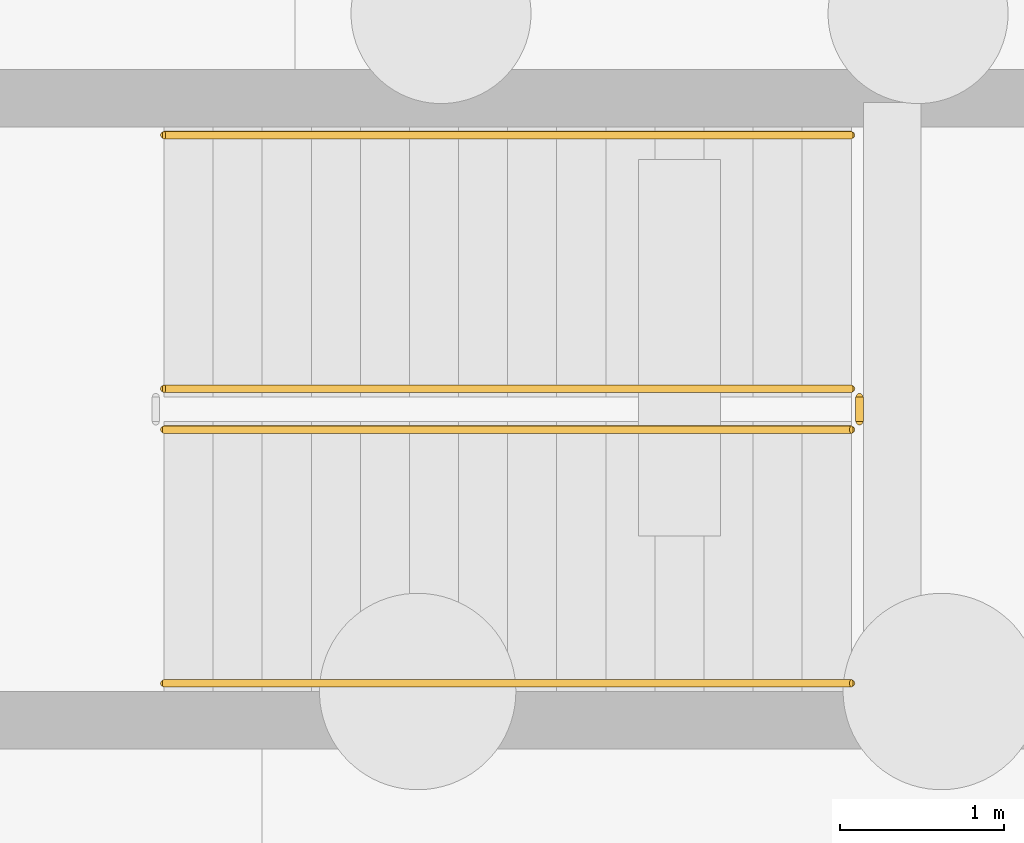
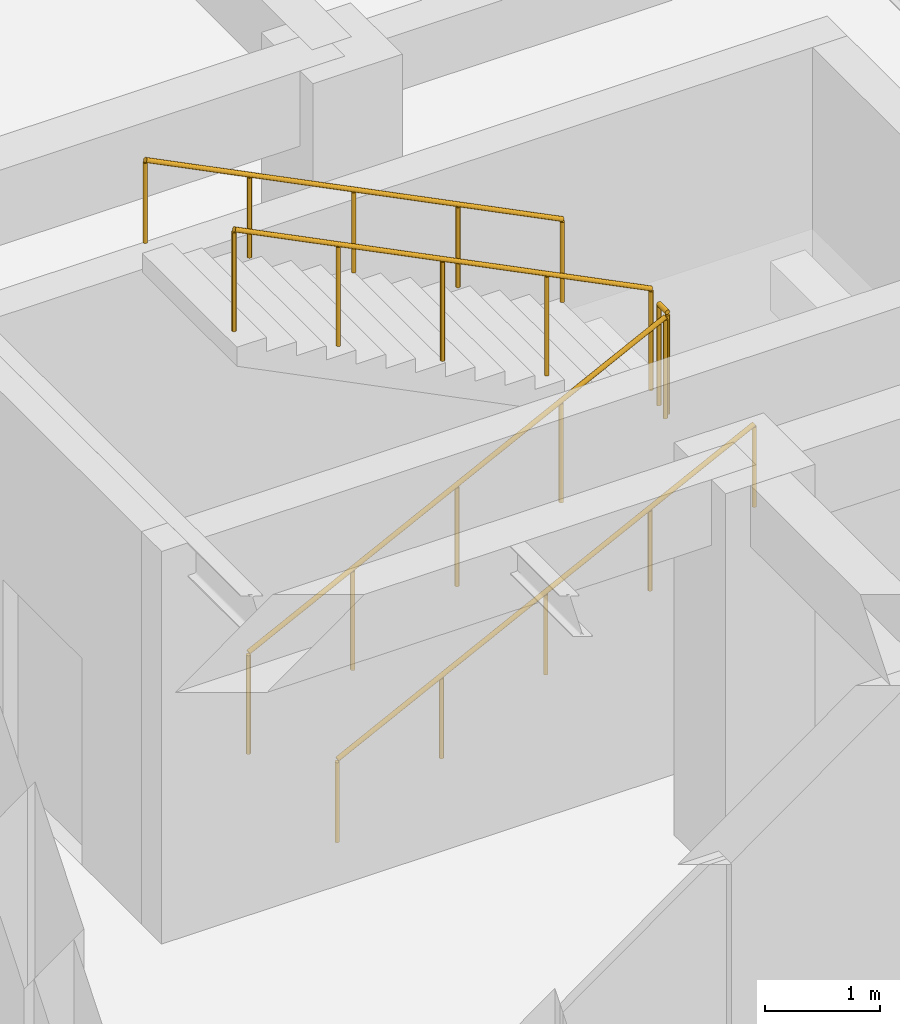
# One storey, part 60 of 63: 5 railings.
"""IFC4 building model written with IfcOpenShell, lengths in metres."""

from ifc_helpers import new_model, si_unit, direction, frame, origin, origin_2d, place, context, subcontext, project, spatial, circle, extrude, material, type_object, element, save


model = new_model("IFC4")

# Units and contexts
model_context = context("Model", 3, precision=1e-05, world=origin(), true_north=direction((0.0, 1.0)))
body_context = subcontext(model_context, "Body", "Model", "MODEL_VIEW")
ifc_project = project(units=[si_unit("LENGTHUNIT", "METRE"), si_unit("AREAUNIT", "SQUARE_METRE"), si_unit("VOLUMEUNIT", "CUBIC_METRE"), si_unit("PLANEANGLEUNIT", "RADIAN"), si_unit("MASSUNIT", "GRAM", prefix="KILO")], contexts=[model_context])

# Site, building, storey
site_placement = place(None, origin())
site = spatial("IfcSite", under=ifc_project, at=site_placement, CompositionType="ELEMENT")
building_placement = place(site_placement, origin())
building = spatial("IfcBuilding", under=site, at=building_placement, Name="Mazaris Harbour Polytechnic", CompositionType="ELEMENT")
storey_placement = place(building_placement, frame((0.0, 0.0, -4.5)))
storey = spatial("IfcBuildingStorey", under=building, at=storey_placement, Name="B1", CompositionType="ELEMENT", Elevation=-4.5)

# Railings
ifc_material_1 = material(Name="Stainless Steel S355", Category="steel")
railing_type_1 = type_object("IfcRailingType", Name="Stair Wall Handrail 900", PredefinedType="HANDRAIL", material=ifc_material_1)
railing_1_placement = place(storey_placement, frame((126.449951171875, 16.050048828125, 0.14990234375)))
element("IfcRailing", 1, at=railing_1_placement, inside=storey, type_object=railing_type_1, Name="B1 ST03 stair handrail 1", PredefinedType="HANDRAIL", context=body_context, shape_type="SweptSolid", body=[
    extrude(circle(Radius=0.02392578125, at=origin_2d()), frame((0.0, 0.0, 0.8759765625), z_axis=(0.894416792377, 0.0, 0.447234392142), x_axis=(0.0, 1.0, 0.0)), (0.0, 0.0, 1.0), 4.69580078125),
    extrude(circle(Radius=0.02099609375, at=origin_2d()), origin(), (0.0, 0.0, 1.0), 0.851806640625),
    extrude(circle(Radius=0.02099609375, at=origin_2d()), frame((1.050048828125, 0.0, 0.52490234375)), (0.0, 0.0, 1.0), 0.851806640625),
    extrude(circle(Radius=0.02099609375, at=origin_2d()), frame((2.10009765625, 0.0, 1.050048828125)), (0.0, 0.0, 1.0), 0.851806640625),
    extrude(circle(Radius=0.02099609375, at=origin_2d()), frame((3.14990234375, 0.0, 1.5751953125)), (0.0, 0.0, 1.0), 0.851806640625),
    extrude(circle(Radius=0.02099609375, at=origin_2d()), frame((4.199951171875, 0.0, 2.10009765625)), (0.0, 0.0, 1.0), 0.851806640625),
])
railing_2_placement = place(storey_placement, frame((130.64990234375, 19.39990234375, 2.39990234375)))
element("IfcRailing", 2, at=railing_2_placement, inside=storey, type_object=railing_type_1, Name="B1 ST03 stair handrail 2", PredefinedType="HANDRAIL", context=body_context, shape_type="SweptSolid", body=[
    extrude(circle(Radius=0.02392578125, at=origin_2d()), frame((0.0, 0.0, 0.8759765625), z_axis=(-0.894416792377, 0.0, 0.447234392142), x_axis=(0.0, -1.0, 0.0)), (0.0, 0.0, 1.0), 4.69580078125),
    extrude(circle(Radius=0.02099609375, at=origin_2d()), origin(), (0.0, 0.0, 1.0), 0.851806640625),
    extrude(circle(Radius=0.02099609375, at=origin_2d()), frame((-1.050048828125, 0.0, 0.52490234375)), (0.0, 0.0, 1.0), 0.851806640625),
    extrude(circle(Radius=0.02099609375, at=origin_2d()), frame((-2.10009765625, 0.0, 1.050048828125)), (0.0, 0.0, 1.0), 0.851806640625),
    extrude(circle(Radius=0.02099609375, at=origin_2d()), frame((-3.14990234375, 0.0, 1.5751953125)), (0.0, 0.0, 1.0), 0.851806640625),
    extrude(circle(Radius=0.02099609375, at=origin_2d()), frame((-4.199951171875, 0.0, 2.10009765625)), (0.0, 0.0, 1.0), 0.851806640625),
])
ifc_material_2 = material(Name="Steel S355", Category="steel")
railing_type_2 = type_object("IfcRailingType", Name="Stair Well Guardrail 1100", PredefinedType="GUARDRAIL", material=ifc_material_2)
railing_3_placement = place(storey_placement, frame((126.449951171875, 17.60009765625, 0.14990234375)))
element("IfcRailing", 3, at=railing_3_placement, inside=storey, type_object=railing_type_2, Name="B1 ST03 stair guard 1", PredefinedType="GUARDRAIL", context=body_context, shape_type="SweptSolid", body=[
    extrude(circle(Radius=0.02392578125, at=origin_2d()), frame((0.0, 0.0, 1.076171875), z_axis=(0.894416792377, 0.0, 0.447234392142), x_axis=(0.0, 1.0, 0.0)), (0.0, 0.0, 1.0), 4.69580078125),
    extrude(circle(Radius=0.02099609375, at=origin_2d()), origin(), (0.0, 0.0, 1.0), 1.052001953125),
    extrude(circle(Radius=0.02099609375, at=origin_2d()), frame((1.050048828125, 0.0, 0.52490234375)), (0.0, 0.0, 1.0), 1.052001953125),
    extrude(circle(Radius=0.02099609375, at=origin_2d()), frame((2.10009765625, 0.0, 1.050048828125)), (0.0, 0.0, 1.0), 1.052001953125),
    extrude(circle(Radius=0.02099609375, at=origin_2d()), frame((3.14990234375, 0.0, 1.5751953125)), (0.0, 0.0, 1.0), 1.052001953125),
    extrude(circle(Radius=0.02099609375, at=origin_2d()), frame((4.199951171875, 0.0, 2.10009765625)), (0.0, 0.0, 1.0), 1.052001953125),
])
railing_4_placement = place(storey_placement, frame((130.699951171875, 17.64990234375, 2.25)))
element("IfcRailing", 4, at=railing_4_placement, inside=storey, type_object=railing_type_2, Name="B1 ST03 stair guard 2", PredefinedType="GUARDRAIL", context=body_context, shape_type="SweptSolid", body=[
    extrude(circle(Radius=0.02392578125, at=origin_2d()), frame((0.0, 0.0, 1.076171875), z_axis=(0.0, 1.0, 0.0), x_axis=(-1.0, 0.0, 0.0)), (0.0, 0.0, 1.0), 0.150146484375),
    extrude(circle(Radius=0.02099609375, at=origin_2d()), origin(), (0.0, 0.0, 1.0), 1.052001953125),
    extrude(circle(Radius=0.02099609375, at=origin_2d()), frame((0.0, 0.150146484375, 0.0)), (0.0, 0.0, 1.0), 1.052001953125),
])
railing_5_placement = place(storey_placement, frame((130.64990234375, 17.85009765625, 2.39990234375)))
element("IfcRailing", 5, at=railing_5_placement, inside=storey, type_object=railing_type_2, Name="B1 ST03 stair guard 3", PredefinedType="GUARDRAIL", context=body_context, shape_type="SweptSolid", body=[
    extrude(circle(Radius=0.02392578125, at=origin_2d()), frame((0.0, 0.0, 1.076171875), z_axis=(-0.894416792377, 0.0, 0.447234392142), x_axis=(0.0, -1.0, 0.0)), (0.0, 0.0, 1.0), 4.69580078125),
    extrude(circle(Radius=0.02099609375, at=origin_2d()), origin(), (0.0, 0.0, 1.0), 1.052001953125),
    extrude(circle(Radius=0.02099609375, at=origin_2d()), frame((-1.050048828125, 0.0, 0.52490234375)), (0.0, 0.0, 1.0), 1.052001953125),
    extrude(circle(Radius=0.02099609375, at=origin_2d()), frame((-2.10009765625, 0.0, 1.050048828125)), (0.0, 0.0, 1.0), 1.052001953125),
    extrude(circle(Radius=0.02099609375, at=origin_2d()), frame((-3.14990234375, 0.0, 1.5751953125)), (0.0, 0.0, 1.0), 1.052001953125),
    extrude(circle(Radius=0.02099609375, at=origin_2d()), frame((-4.199951171875, 0.0, 2.10009765625)), (0.0, 0.0, 1.0), 1.052001953125),
])

save(model, "model.ifc")
